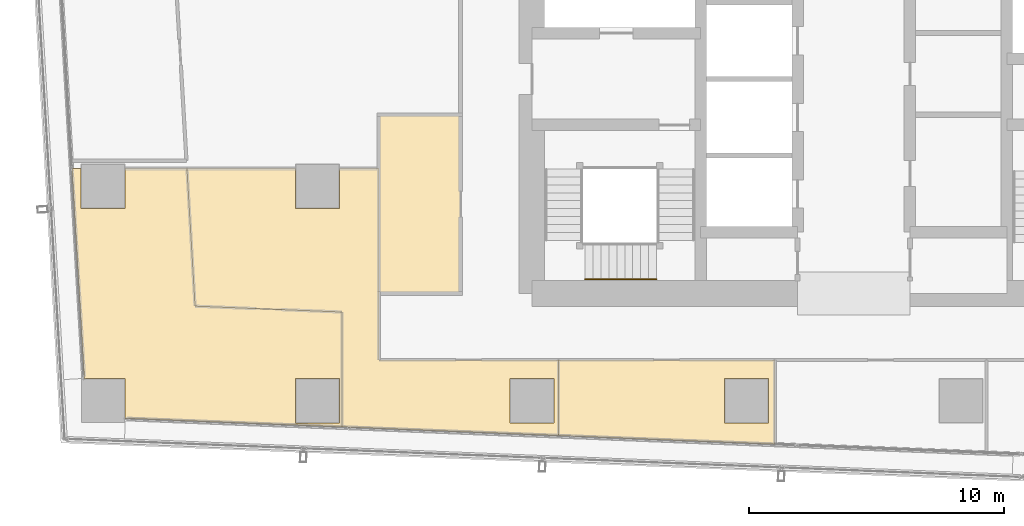
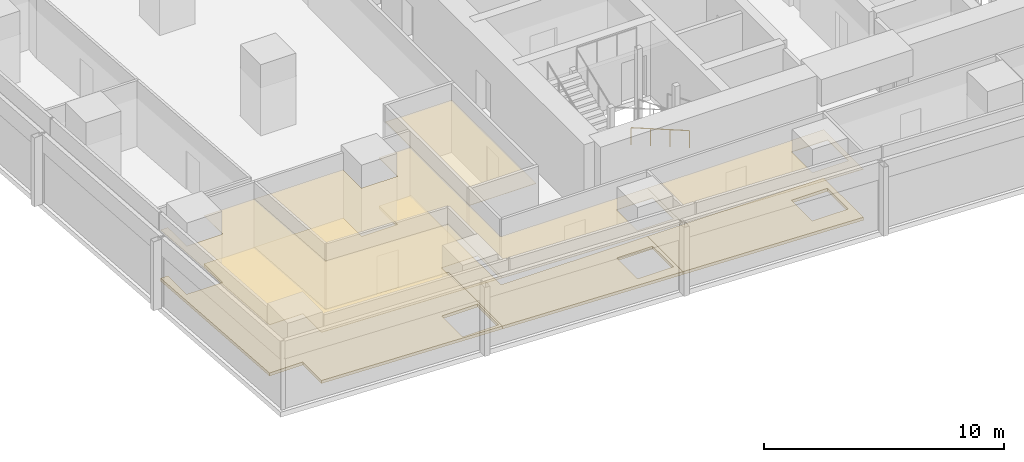
# One storey, part 32 of 39: 7 coverings, 1 railing.
"""IFC4 building model written with IfcOpenShell, lengths in metres."""

from ifc_helpers import new_model, si_unit, direction, frame, origin, origin_2d, place, context, subcontext, project, spatial, polyline, circle, outline, extrude, material, layer, layer_set, type_object, element, save


model = new_model("IFC4")

# Units and contexts
model_context = context("Model", 3, precision=1e-05, world=origin(), true_north=direction((0.0, 1.0)))
body_context = subcontext(model_context, "Body", "Model", "MODEL_VIEW")
ifc_project = project(units=[si_unit("LENGTHUNIT", "METRE"), si_unit("AREAUNIT", "SQUARE_METRE"), si_unit("VOLUMEUNIT", "CUBIC_METRE"), si_unit("PLANEANGLEUNIT", "RADIAN"), si_unit("MASSUNIT", "GRAM", prefix="KILO")], contexts=[model_context])

# Site, building, storey
site_placement = place(None, origin())
site = spatial("IfcSite", under=ifc_project, at=site_placement, CompositionType="ELEMENT")
building_placement = place(site_placement, origin())
building = spatial("IfcBuilding", under=site, at=building_placement, Name="Rekha Terrace Tower", CompositionType="ELEMENT")
storey_placement = place(building_placement, frame((0.0, 0.0, 183.949951171875)))
storey = spatial("IfcBuildingStorey", under=building, at=storey_placement, Name="L46", CompositionType="ELEMENT", Elevation=183.949951171875)

# Coverings
ifc_material_1 = material(Name="Mineral fibre tile in exposed grid", Category="finish")
ifc_layer_1 = layer(ifc_material_1, 0.02001953125)
ifc_layer_set_1 = layer_set([ifc_layer_1], Name="Mineral fibre tile in exposed grid")
covering_type_1 = type_object("IfcCoveringType", Name="CL1 600x1200 office grid ceiling", PredefinedType="CEILING", material=ifc_layer_set_1)
covering_1_placement = place(storey_placement, frame((0.0, 0.0, 2.580078125)))
element("IfcCovering", 1, at=covering_1_placement, inside=storey, type_object=covering_type_1, Name="Ceiling L46-07", PredefinedType="CEILING", context=body_context, shape_type="SweptSolid", body=[
    extrude(outline(polyline([(7.534912109375, 24.3349609375), (7.534912109375, 25.887939453125), (7.179931640625, 25.887939453125), (7.6640625, 17.6650390625), (9.264892578125, 17.6650390625), (9.264892578125, 16.111083984375), (17.759033203125, 15.77197265625), (17.759033203125, 20.27490234375), (12.0048828125, 20.5048828125), (11.68798828125, 25.887939453125), (9.264892578125, 25.887939453125), (9.264892578125, 24.3349609375), (7.534912109375, 24.3349609375)]), holes=[polyline([(17.6650390625, 17.6650390625), (17.6650390625, 15.93505859375), (15.93505859375, 15.93505859375), (15.93505859375, 17.6650390625), (17.6650390625, 17.6650390625)])]), origin(), (0.0, 0.0, 1.0), 0.02001953125),
])
covering_2_placement = place(storey_placement, frame((0.0, 0.0, 2.580078125)))
element("IfcCovering", 2, at=covering_2_placement, inside=storey, type_object=covering_type_1, Name="Ceiling L46-08", PredefinedType="CEILING", context=body_context, shape_type="SweptSolid", body=[
    extrude(outline(polyline([(17.759033203125, 15.77197265625), (26.23291015625, 15.43310546875), (26.23291015625, 18.39990234375), (19.199951171875, 18.39990234375), (19.199951171875, 25.887939453125), (17.6650390625, 25.887939453125), (17.6650390625, 24.3349609375), (15.93505859375, 24.3349609375), (15.93505859375, 25.887939453125), (11.68798828125, 25.887939453125), (12.0048828125, 20.5048828125), (17.759033203125, 20.27490234375), (17.759033203125, 15.77197265625)]), holes=[polyline([(26.06494140625, 17.6650390625), (26.06494140625, 15.93505859375), (24.3349609375, 15.93505859375), (24.3349609375, 17.6650390625), (26.06494140625, 17.6650390625)])]), origin(), (0.0, 0.0, 1.0), 0.02001953125),
])
covering_3_placement = place(storey_placement, frame((0.0, 0.0, 2.580078125)))
element("IfcCovering", 3, at=covering_3_placement, inside=storey, type_object=covering_type_1, Name="Ceiling L46-09", PredefinedType="CEILING", context=body_context, shape_type="SweptSolid", body=[
    extrude(outline(polyline([(34.705078125, 15.094970703125), (34.705078125, 18.39990234375), (26.23291015625, 18.39990234375), (26.23291015625, 15.43310546875), (34.705078125, 15.094970703125)]), holes=[polyline([(34.465087890625, 15.93505859375), (32.735107421875, 15.93505859375), (32.735107421875, 17.6650390625), (34.465087890625, 17.6650390625), (34.465087890625, 15.93505859375)])]), origin(), (0.0, 0.0, 1.0), 0.02001953125),
])
ifc_material_2 = material(Name="Fibre cement board", Category="finish")
ifc_layer_2 = layer(ifc_material_2, 0.014892578125)
ifc_layer_set_2 = layer_set([ifc_layer_2], Name="Fibre cement board")
covering_type_2 = type_object("IfcCoveringType", Name="CL2 moisture-resistant board ceiling", PredefinedType="CEILING", material=ifc_layer_set_2)
covering_4_placement = place(storey_placement, frame((0.0, 0.0, 2.5849609375)))
element("IfcCovering", 4, at=covering_4_placement, inside=storey, type_object=covering_type_2, Name="Ceiling L46-WCM", PredefinedType="CEILING", context=body_context, shape_type="SweptSolid", body=[
    extrude(outline(polyline([(22.39990234375, 28.0), (19.199951171875, 28.0), (19.199951171875, 21.0), (22.39990234375, 21.0), (22.39990234375, 28.0)])), origin(), (0.0, 0.0, 1.0), 0.01513671875),
])

# Railing
ifc_material_3 = material(Name="Stainless steel tube", Category="steel")
railing_type = type_object("IfcRailingType", Name="HR1 900 stair handrail", PredefinedType="HANDRAIL", material=ifc_material_3)
railing_placement = place(storey_placement, frame((30.074951171875, 21.56005859375, 1.375)))
element("IfcRailing", 5, at=railing_placement, inside=storey, type_object=railing_type, Name="Handrail ST1 L46 flight 2", PredefinedType="HANDRAIL", context=body_context, shape_type="SweptSolid", body=[
    extrude(circle(Radius=0.02392578125, at=origin_2d()), frame((0.0, 0.0, 0.8759765625), z_axis=(-0.927443287984, 0.0, 0.373963831907), x_axis=(0.0, -1.0, 0.0)), (0.0, 0.0, 1.0), 3.00830078125),
    extrude(circle(Radius=0.02099609375, at=origin_2d()), origin(), (0.0, 0.0, 1.0), 0.851806640625),
    extrude(circle(Radius=0.02099609375, at=origin_2d()), frame((-0.929931640625, 0.0, 0.375)), (0.0, 0.0, 1.0), 0.851806640625),
    extrude(circle(Radius=0.02099609375, at=origin_2d()), frame((-1.860107421875, 0.0, 0.75)), (0.0, 0.0, 1.0), 0.851806640625),
    extrude(circle(Radius=0.02099609375, at=origin_2d()), frame((-2.7900390625, 0.0, 1.125)), (0.0, 0.0, 1.0), 0.851806640625),
])

# Coverings
ifc_material_4 = material(Name="Calcium sulphate panels on steel pedestals", Category="steel")
ifc_layer_3 = layer(ifc_material_4, 0.14990234375)
ifc_layer_set_3 = layer_set([ifc_layer_3], Name="Calcium sulphate panels on steel pedestals")
covering_type_3 = type_object("IfcCoveringType", Name="RF1 150 raised access floor", PredefinedType="FLOORING", material=ifc_layer_set_3)
covering_5_placement = place(storey_placement, origin())
element("IfcCovering", 6, at=covering_5_placement, inside=storey, type_object=covering_type_3, Name="Raised floor L46-07", PredefinedType="FLOORING", context=body_context, shape_type="SweptSolid", body=[
    extrude(outline(polyline([(7.534912109375, 24.3349609375), (7.534912109375, 25.887939453125), (7.179931640625, 25.887939453125), (7.6640625, 17.6650390625), (9.264892578125, 17.6650390625), (9.264892578125, 16.111083984375), (17.759033203125, 15.77197265625), (17.759033203125, 20.27490234375), (12.0048828125, 20.5048828125), (11.68798828125, 25.887939453125), (9.264892578125, 25.887939453125), (9.264892578125, 24.3349609375), (7.534912109375, 24.3349609375)]), holes=[polyline([(17.6650390625, 17.6650390625), (17.6650390625, 15.93505859375), (15.93505859375, 15.93505859375), (15.93505859375, 17.6650390625), (17.6650390625, 17.6650390625)])]), origin(), (0.0, 0.0, 1.0), 0.150146484375),
])
covering_6_placement = place(storey_placement, origin())
element("IfcCovering", 7, at=covering_6_placement, inside=storey, type_object=covering_type_3, Name="Raised floor L46-08", PredefinedType="FLOORING", context=body_context, shape_type="SweptSolid", body=[
    extrude(outline(polyline([(17.759033203125, 15.77197265625), (26.23291015625, 15.43310546875), (26.23291015625, 18.39990234375), (19.199951171875, 18.39990234375), (19.199951171875, 25.887939453125), (17.6650390625, 25.887939453125), (17.6650390625, 24.3349609375), (15.93505859375, 24.3349609375), (15.93505859375, 25.887939453125), (11.68798828125, 25.887939453125), (12.0048828125, 20.5048828125), (17.759033203125, 20.27490234375), (17.759033203125, 15.77197265625)]), holes=[polyline([(26.06494140625, 17.6650390625), (26.06494140625, 15.93505859375), (24.3349609375, 15.93505859375), (24.3349609375, 17.6650390625), (26.06494140625, 17.6650390625)])]), origin(), (0.0, 0.0, 1.0), 0.150146484375),
])
covering_7_placement = place(storey_placement, origin())
element("IfcCovering", 8, at=covering_7_placement, inside=storey, type_object=covering_type_3, Name="Raised floor L46-09", PredefinedType="FLOORING", context=body_context, shape_type="SweptSolid", body=[
    extrude(outline(polyline([(34.705078125, 15.094970703125), (34.705078125, 18.39990234375), (26.23291015625, 18.39990234375), (26.23291015625, 15.43310546875), (34.705078125, 15.094970703125)]), holes=[polyline([(34.465087890625, 15.93505859375), (32.735107421875, 15.93505859375), (32.735107421875, 17.6650390625), (34.465087890625, 17.6650390625), (34.465087890625, 15.93505859375)])]), origin(), (0.0, 0.0, 1.0), 0.150146484375),
])

save(model, "model.ifc")
